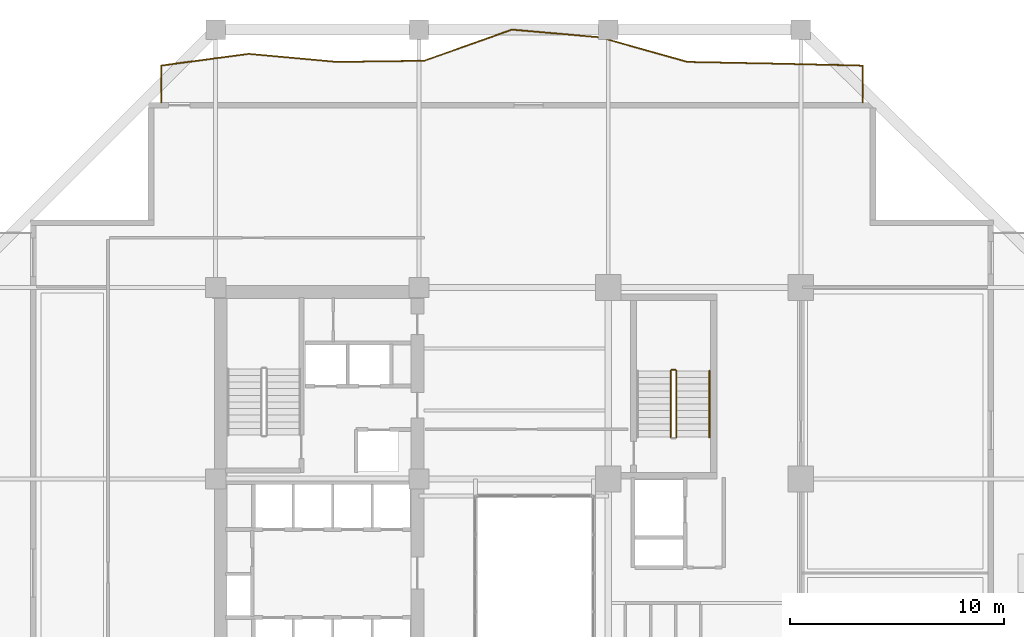
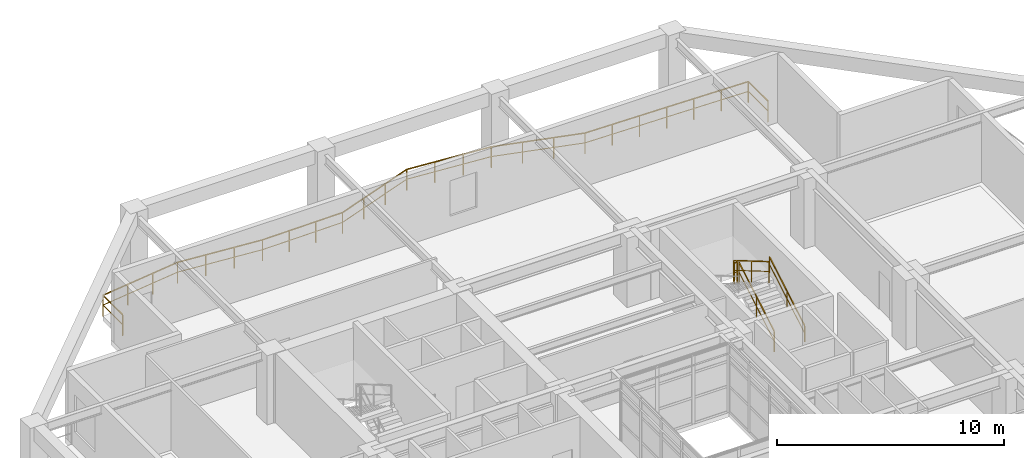
# One storey, part 15 of 17: 5 railings.
"""IFC4 building model written with IfcOpenShell, lengths in metres."""

from ifc_helpers import new_model, si_unit, direction, frame, origin, origin_2d, place, context, subcontext, project, spatial, rectangle, extrude, material, type_object, element, save


model = new_model("IFC4")

# Units and contexts
model_context = context("Model", 3, precision=1e-05, world=origin(), true_north=direction((0.0, 1.0)))
body_context = subcontext(model_context, "Body", "Model", "MODEL_VIEW")
ifc_project = project(units=[si_unit("LENGTHUNIT", "METRE"), si_unit("AREAUNIT", "SQUARE_METRE"), si_unit("VOLUMEUNIT", "CUBIC_METRE"), si_unit("PLANEANGLEUNIT", "RADIAN"), si_unit("MASSUNIT", "GRAM", prefix="KILO")], contexts=[model_context])

# Site, building, storey
site_placement = place(None, origin())
site = spatial("IfcSite", under=ifc_project, at=site_placement, CompositionType="ELEMENT")
building_placement = place(site_placement, origin())
building = spatial("IfcBuilding", under=site, at=building_placement, Name="Kundavana Baori Tower", CompositionType="ELEMENT")
storey_placement = place(building_placement, frame((0.0, 0.0, 26.0)))
storey = spatial("IfcBuildingStorey", under=building, at=storey_placement, Name="L05", CompositionType="ELEMENT", Elevation=26.0)

# Railings
ifc_material_1 = material(Name="Architectural Patinated Bronze Metalwork")
railing_type_1 = type_object("IfcRailingType", Name="RL-BAL-1150", PredefinedType="BALUSTRADE", material=ifc_material_1)
railing_1_placement = place(storey_placement, frame((12.89990234375, 50.60009765625, 0.0)))
element("IfcRailing", 1, at=railing_1_placement, inside=storey, type_object=railing_type_1, Name="L05 Loggia Balcony Balustrade N", PredefinedType="BALUSTRADE", context=body_context, shape_type="SweptSolid", body=[
    extrude(rectangle(XDim=0.048095703125, YDim=0.048095703125, at=origin_2d()), frame((0.0, 0.0, 1.1259765625), z_axis=(0.0, 1.0, 0.0), x_axis=(-1.0, 0.0, 0.0)), (0.0, 0.0, 1.0), 1.719970703125),
    extrude(rectangle(XDim=0.03125, YDim=0.03125, at=origin_2d()), frame((0.0, 0.0, 0.597900390625), z_axis=(0.0, 1.0, 0.0), x_axis=(-1.0, 0.0, 0.0)), (0.0, 0.0, 1.0), 1.719970703125),
    extrude(rectangle(XDim=0.048095703125, YDim=0.048095703125, at=origin_2d()), frame((0.0, 1.719970703125, 1.1259765625), z_axis=(0.991159730328, 0.132673995104, 0.0), x_axis=(-0.132673995104, 0.991159730328, 0.0)), (0.0, 0.0, 1.0), 4.13671875),
    extrude(rectangle(XDim=0.03125, YDim=0.03125, at=origin_2d()), frame((0.0, 1.719970703125, 0.597900390625), z_axis=(0.991159730328, 0.132673995104, 0.0), x_axis=(-0.132673995104, 0.991159730328, 0.0)), (0.0, 0.0, 1.0), 4.13671875),
    extrude(rectangle(XDim=0.048095703125, YDim=0.048095703125, at=origin_2d()), frame((4.10009765625, 2.268798828125, 1.1259765625), z_axis=(0.995843480493, -0.091081075744, 0.0), x_axis=(0.091081075744, 0.995843480493, 0.0)), (0.0, 0.0, 1.0), 4.1171875),
    extrude(rectangle(XDim=0.03125, YDim=0.03125, at=origin_2d()), frame((4.10009765625, 2.268798828125, 0.597900390625), z_axis=(0.995843480493, -0.091081075744, 0.0), x_axis=(0.091081075744, 0.995843480493, 0.0)), (0.0, 0.0, 1.0), 4.1171875),
    extrude(rectangle(XDim=0.048095703125, YDim=0.048095703125, at=origin_2d()), frame((8.2001953125, 1.893798828125, 1.1259765625), z_axis=(0.999915749686, 0.012980505772, 0.0), x_axis=(-0.012980505772, 0.999915749686, 0.0)), (0.0, 0.0, 1.0), 4.10009765625),
    extrude(rectangle(XDim=0.03125, YDim=0.03125, at=origin_2d()), frame((8.2001953125, 1.893798828125, 0.597900390625), z_axis=(0.999915749686, 0.012980505772, 0.0), x_axis=(-0.012980505772, 0.999915749686, 0.0)), (0.0, 0.0, 1.0), 4.10009765625),
    extrude(rectangle(XDim=0.048095703125, YDim=0.048095703125, at=origin_2d()), frame((12.300048828125, 1.947021484375, 1.1259765625), z_axis=(0.942572017492, 0.334002981785, 0.0), x_axis=(-0.334002981785, 0.942572017492, 0.0)), (0.0, 0.0, 1.0), 4.349853515625),
    extrude(rectangle(XDim=0.03125, YDim=0.03125, at=origin_2d()), frame((12.300048828125, 1.947021484375, 0.597900390625), z_axis=(0.942572017492, 0.334002981785, 0.0), x_axis=(-0.334002981785, 0.942572017492, 0.0)), (0.0, 0.0, 1.0), 4.349853515625),
    extrude(rectangle(XDim=0.048095703125, YDim=0.048095703125, at=origin_2d()), frame((16.400146484375, 3.39990234375, 1.1259765625), z_axis=(0.996272576419, -0.086260961479, 0.0), x_axis=(0.086260961479, 0.996272576419, 0.0)), (0.0, 0.0, 1.0), 4.115234375),
    extrude(rectangle(XDim=0.03125, YDim=0.03125, at=origin_2d()), frame((16.400146484375, 3.39990234375, 0.597900390625), z_axis=(0.996272576419, -0.086260961479, 0.0), x_axis=(0.086260961479, 0.996272576419, 0.0)), (0.0, 0.0, 1.0), 4.115234375),
    extrude(rectangle(XDim=0.048095703125, YDim=0.048095703125, at=origin_2d()), frame((20.5, 3.044921875, 1.1259765625), z_axis=(0.962775041991, -0.270303937298, 0.0), x_axis=(0.270303937298, 0.962775041991, 0.0)), (0.0, 0.0, 1.0), 4.258544921875),
    extrude(rectangle(XDim=0.03125, YDim=0.03125, at=origin_2d()), frame((20.5, 3.044921875, 0.597900390625), z_axis=(0.962775041991, -0.270303937298, 0.0), x_axis=(0.270303937298, 0.962775041991, 0.0)), (0.0, 0.0, 1.0), 4.258544921875),
    extrude(rectangle(XDim=0.048095703125, YDim=0.048095703125, at=origin_2d()), frame((24.60009765625, 1.893798828125, 1.1259765625), z_axis=(0.999810489297, -0.01946754972, 0.0), x_axis=(0.01946754972, 0.999810489297, 0.0)), (0.0, 0.0, 1.0), 4.100830078125),
    extrude(rectangle(XDim=0.03125, YDim=0.03125, at=origin_2d()), frame((24.60009765625, 1.893798828125, 0.597900390625), z_axis=(0.999810489297, -0.01946754972, 0.0), x_axis=(0.01946754972, 0.999810489297, 0.0)), (0.0, 0.0, 1.0), 4.100830078125),
    extrude(rectangle(XDim=0.048095703125, YDim=0.048095703125, at=origin_2d()), frame((28.7001953125, 1.81396484375, 1.1259765625), z_axis=(0.99973729779, -0.02292019649, 0.0), x_axis=(0.02292019649, 0.99973729779, 0.0)), (0.0, 0.0, 1.0), 4.100830078125),
    extrude(rectangle(XDim=0.03125, YDim=0.03125, at=origin_2d()), frame((28.7001953125, 1.81396484375, 0.597900390625), z_axis=(0.99973729779, -0.02292019649, 0.0), x_axis=(0.02292019649, 0.99973729779, 0.0)), (0.0, 0.0, 1.0), 4.100830078125),
    extrude(rectangle(XDim=0.048095703125, YDim=0.048095703125, at=origin_2d()), frame((32.800048828125, 1.719970703125, 1.1259765625), z_axis=(0.0, -1.0, 0.0), x_axis=(1.0, 0.0, 0.0)), (0.0, 0.0, 1.0), 1.719970703125),
    extrude(rectangle(XDim=0.03125, YDim=0.03125, at=origin_2d()), frame((32.800048828125, 1.719970703125, 0.597900390625), z_axis=(0.0, -1.0, 0.0), x_axis=(1.0, 0.0, 0.0)), (0.0, 0.0, 1.0), 1.719970703125),
    extrude(rectangle(XDim=0.0419921875, YDim=0.0419921875, at=origin_2d()), origin(), (0.0, 0.0, 1.0), 1.101806640625),
    extrude(rectangle(XDim=0.0419921875, YDim=0.0419921875, at=origin_2d()), frame((0.0, 1.719970703125, 0.0)), (0.0, 0.0, 1.0), 1.101806640625),
    extrude(rectangle(XDim=0.0419921875, YDim=0.0419921875, at=origin_2d()), frame((1.36669921875, 1.90283203125, 0.0)), (0.0, 0.0, 1.0), 1.101806640625),
    extrude(rectangle(XDim=0.0419921875, YDim=0.0419921875, at=origin_2d()), frame((2.7333984375, 2.0859375, 0.0)), (0.0, 0.0, 1.0), 1.101806640625),
    extrude(rectangle(XDim=0.0419921875, YDim=0.0419921875, at=origin_2d()), frame((4.10009765625, 2.268798828125, 0.0)), (0.0, 0.0, 1.0), 1.101806640625),
    extrude(rectangle(XDim=0.0419921875, YDim=0.0419921875, at=origin_2d()), frame((5.466796875, 2.143798828125, 0.0)), (0.0, 0.0, 1.0), 1.101806640625),
    extrude(rectangle(XDim=0.0419921875, YDim=0.0419921875, at=origin_2d()), frame((6.83349609375, 2.018798828125, 0.0)), (0.0, 0.0, 1.0), 1.101806640625),
    extrude(rectangle(XDim=0.0419921875, YDim=0.0419921875, at=origin_2d()), frame((8.2001953125, 1.893798828125, 0.0)), (0.0, 0.0, 1.0), 1.101806640625),
    extrude(rectangle(XDim=0.0419921875, YDim=0.0419921875, at=origin_2d()), frame((9.56689453125, 1.91162109375, 0.0)), (0.0, 0.0, 1.0), 1.101806640625),
    extrude(rectangle(XDim=0.0419921875, YDim=0.0419921875, at=origin_2d()), frame((10.933349609375, 1.92919921875, 0.0)), (0.0, 0.0, 1.0), 1.101806640625),
    extrude(rectangle(XDim=0.0419921875, YDim=0.0419921875, at=origin_2d()), frame((12.300048828125, 1.947021484375, 0.0)), (0.0, 0.0, 1.0), 1.101806640625),
    extrude(rectangle(XDim=0.0419921875, YDim=0.0419921875, at=origin_2d()), frame((13.666748046875, 2.431396484375, 0.0)), (0.0, 0.0, 1.0), 1.101806640625),
    extrude(rectangle(XDim=0.0419921875, YDim=0.0419921875, at=origin_2d()), frame((15.033447265625, 2.91552734375, 0.0)), (0.0, 0.0, 1.0), 1.101806640625),
    extrude(rectangle(XDim=0.0419921875, YDim=0.0419921875, at=origin_2d()), frame((16.400146484375, 3.39990234375, 0.0)), (0.0, 0.0, 1.0), 1.101806640625),
    extrude(rectangle(XDim=0.0419921875, YDim=0.0419921875, at=origin_2d()), frame((17.766845703125, 3.281494140625, 0.0)), (0.0, 0.0, 1.0), 1.101806640625),
    extrude(rectangle(XDim=0.0419921875, YDim=0.0419921875, at=origin_2d()), frame((19.13330078125, 3.163330078125, 0.0)), (0.0, 0.0, 1.0), 1.101806640625),
    extrude(rectangle(XDim=0.0419921875, YDim=0.0419921875, at=origin_2d()), frame((20.5, 3.044921875, 0.0)), (0.0, 0.0, 1.0), 1.101806640625),
    extrude(rectangle(XDim=0.0419921875, YDim=0.0419921875, at=origin_2d()), frame((21.86669921875, 2.6611328125, 0.0)), (0.0, 0.0, 1.0), 1.101806640625),
    extrude(rectangle(XDim=0.0419921875, YDim=0.0419921875, at=origin_2d()), frame((23.2333984375, 2.277587890625, 0.0)), (0.0, 0.0, 1.0), 1.101806640625),
    extrude(rectangle(XDim=0.0419921875, YDim=0.0419921875, at=origin_2d()), frame((24.60009765625, 1.893798828125, 0.0)), (0.0, 0.0, 1.0), 1.101806640625),
    extrude(rectangle(XDim=0.0419921875, YDim=0.0419921875, at=origin_2d()), frame((25.966796875, 1.8671875, 0.0)), (0.0, 0.0, 1.0), 1.101806640625),
    extrude(rectangle(XDim=0.0419921875, YDim=0.0419921875, at=origin_2d()), frame((27.33349609375, 1.840576171875, 0.0)), (0.0, 0.0, 1.0), 1.101806640625),
    extrude(rectangle(XDim=0.0419921875, YDim=0.0419921875, at=origin_2d()), frame((28.7001953125, 1.81396484375, 0.0)), (0.0, 0.0, 1.0), 1.101806640625),
    extrude(rectangle(XDim=0.0419921875, YDim=0.0419921875, at=origin_2d()), frame((30.06689453125, 1.78271484375, 0.0)), (0.0, 0.0, 1.0), 1.101806640625),
    extrude(rectangle(XDim=0.0419921875, YDim=0.0419921875, at=origin_2d()), frame((31.433349609375, 1.751220703125, 0.0)), (0.0, 0.0, 1.0), 1.101806640625),
    extrude(rectangle(XDim=0.0419921875, YDim=0.0419921875, at=origin_2d()), frame((32.800048828125, 1.719970703125, 0.0)), (0.0, 0.0, 1.0), 1.101806640625),
    extrude(rectangle(XDim=0.0419921875, YDim=0.0419921875, at=origin_2d()), frame((32.800048828125, 0.0, 0.0)), (0.0, 0.0, 1.0), 1.101806640625),
])
ifc_material_2 = material(Name="Architectural Patinated Bronze Metalwork")
railing_type_2 = type_object("IfcRailingType", Name="RL-GRD-1150", PredefinedType="GUARDRAIL", material=ifc_material_2)
railing_2_placement = place(storey_placement, frame((36.97998046875, 34.949951171875, 0.181884765625)))
element("IfcRailing", 2, at=railing_2_placement, inside=storey, type_object=railing_type_2, Name="L05 ST3 stair guard 1", PredefinedType="GUARDRAIL", context=body_context, shape_type="SweptSolid", body=[
    extrude(rectangle(XDim=0.048095703125, YDim=0.048095703125, at=origin_2d()), frame((0.0, 0.0, 1.1259765625), z_axis=(0.0, 0.862598821094, 0.505888598258), x_axis=(-1.0, 0.0, 0.0)), (0.0, 0.0, 1.0), 3.593994140625),
    extrude(rectangle(XDim=0.03125, YDim=0.03125, at=origin_2d()), frame((0.0, 0.0, 0.597900390625), z_axis=(0.0, 0.862598821094, 0.505888598258), x_axis=(-1.0, 0.0, 0.0)), (0.0, 0.0, 1.0), 3.593994140625),
    extrude(rectangle(XDim=0.0419921875, YDim=0.0419921875, at=origin_2d()), origin(), (0.0, 0.0, 1.0), 1.101806640625),
    extrude(rectangle(XDim=0.0419921875, YDim=0.0419921875, at=origin_2d()), frame((0.0, 1.550048828125, 0.9091796875)), (0.0, 0.0, 1.0), 1.101806640625),
    extrude(rectangle(XDim=0.0419921875, YDim=0.0419921875, at=origin_2d()), frame((0.0, 3.10009765625, 1.818115234375)), (0.0, 0.0, 1.0), 1.101806640625),
])
railing_3_placement = place(storey_placement, frame((36.929931640625, 38.10009765625, 2.0)))
element("IfcRailing", 3, at=railing_3_placement, inside=storey, type_object=railing_type_2, Name="L05 ST3 stair guard 2", PredefinedType="GUARDRAIL", context=body_context, shape_type="SweptSolid", body=[
    extrude(rectangle(XDim=0.048095703125, YDim=0.048095703125, at=origin_2d()), frame((0.0, 0.0, 1.1259765625), z_axis=(-1.0, 0.0, 0.0), x_axis=(0.0, -1.0, 0.0)), (0.0, 0.0, 1.0), 0.159912109375),
    extrude(rectangle(XDim=0.03125, YDim=0.03125, at=origin_2d()), frame((0.0, 0.0, 0.597900390625), z_axis=(-1.0, 0.0, 0.0), x_axis=(0.0, -1.0, 0.0)), (0.0, 0.0, 1.0), 0.159912109375),
    extrude(rectangle(XDim=0.0419921875, YDim=0.0419921875, at=origin_2d()), origin(), (0.0, 0.0, 1.0), 1.101806640625),
    extrude(rectangle(XDim=0.0419921875, YDim=0.0419921875, at=origin_2d()), frame((-0.159912109375, 0.0, 0.0)), (0.0, 0.0, 1.0), 1.101806640625),
])
railing_4_placement = place(storey_placement, frame((36.719970703125, 38.050048828125, 2.181884765625)))
element("IfcRailing", 4, at=railing_4_placement, inside=storey, type_object=railing_type_2, Name="L05 ST3 stair guard 3", PredefinedType="GUARDRAIL", context=body_context, shape_type="SweptSolid", body=[
    extrude(rectangle(XDim=0.048095703125, YDim=0.048095703125, at=origin_2d()), frame((0.0, 0.0, 1.1259765625), z_axis=(0.0, -0.862598821094, 0.505888598258), x_axis=(1.0, 0.0, 0.0)), (0.0, 0.0, 1.0), 3.593994140625),
    extrude(rectangle(XDim=0.03125, YDim=0.03125, at=origin_2d()), frame((0.0, 0.0, 0.597900390625), z_axis=(0.0, -0.862598821094, 0.505888598258), x_axis=(1.0, 0.0, 0.0)), (0.0, 0.0, 1.0), 3.593994140625),
    extrude(rectangle(XDim=0.0419921875, YDim=0.0419921875, at=origin_2d()), origin(), (0.0, 0.0, 1.0), 1.101806640625),
    extrude(rectangle(XDim=0.0419921875, YDim=0.0419921875, at=origin_2d()), frame((0.0, -1.550048828125, 0.9091796875)), (0.0, 0.0, 1.0), 1.101806640625),
    extrude(rectangle(XDim=0.0419921875, YDim=0.0419921875, at=origin_2d()), frame((0.0, -3.10009765625, 1.818115234375)), (0.0, 0.0, 1.0), 1.101806640625),
])
ifc_material_3 = material(Name="Architectural Patinated Bronze Metalwork")
railing_type_3 = type_object("IfcRailingType", Name="RL-HND-920", PredefinedType="HANDRAIL", material=ifc_material_3)
railing_5_placement = place(storey_placement, frame((38.530029296875, 34.949951171875, 0.181884765625)))
element("IfcRailing", 5, at=railing_5_placement, inside=storey, type_object=railing_type_3, Name="L05 ST3 stair handrail 1", PredefinedType="HANDRAIL", context=body_context, shape_type="SweptSolid", body=[
    extrude(rectangle(XDim=0.048095703125, YDim=0.048095703125, at=origin_2d()), frame((0.0, 0.0, 0.8759765625), z_axis=(0.0, 0.862598821094, 0.505888598258), x_axis=(-1.0, 0.0, 0.0)), (0.0, 0.0, 1.0), 3.593994140625),
    extrude(rectangle(XDim=0.03125, YDim=0.03125, at=origin_2d()), frame((0.0, 0.0, 0.468017578125), z_axis=(0.0, 0.862598821094, 0.505888598258), x_axis=(-1.0, 0.0, 0.0)), (0.0, 0.0, 1.0), 3.593994140625),
    extrude(rectangle(XDim=0.0419921875, YDim=0.0419921875, at=origin_2d()), origin(), (0.0, 0.0, 1.0), 0.851806640625),
    extrude(rectangle(XDim=0.0419921875, YDim=0.0419921875, at=origin_2d()), frame((0.0, 1.550048828125, 0.9091796875)), (0.0, 0.0, 1.0), 0.851806640625),
    extrude(rectangle(XDim=0.0419921875, YDim=0.0419921875, at=origin_2d()), frame((0.0, 3.10009765625, 1.818115234375)), (0.0, 0.0, 1.0), 0.851806640625),
])

save(model, "model.ifc")
